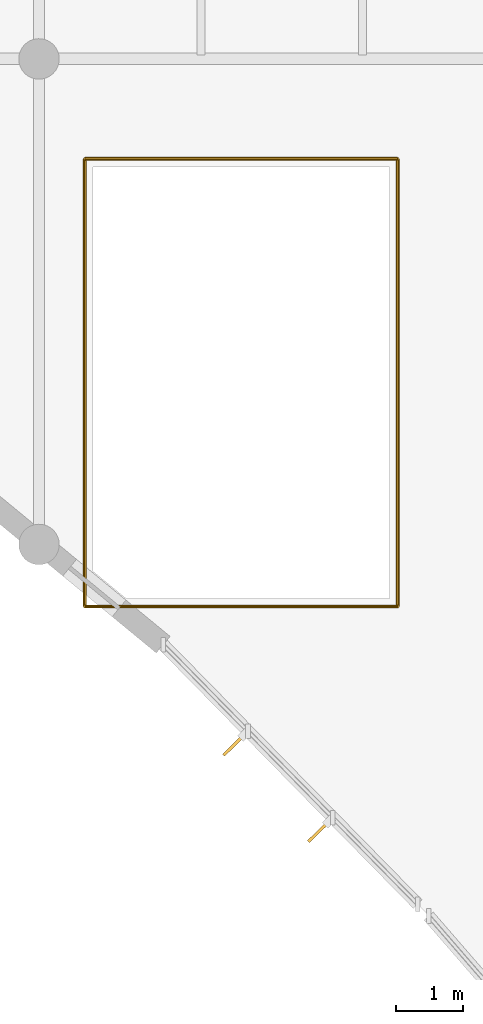
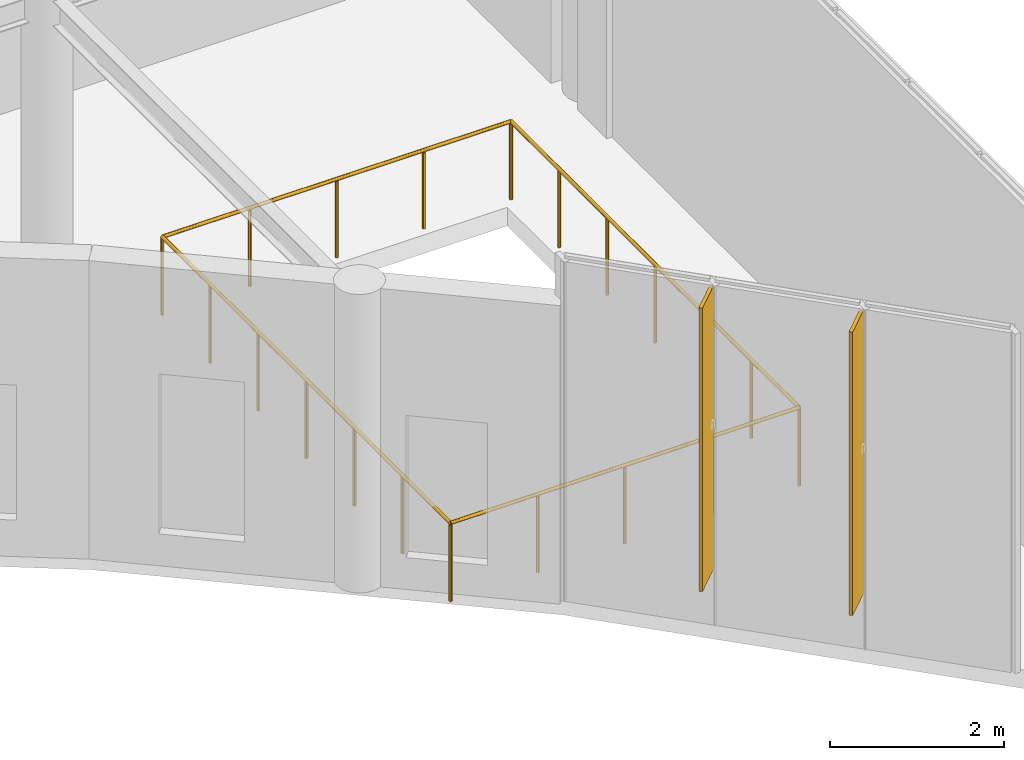
# One storey, part 94 of 104: 4 railings, 2 shading devices.
"""IFC4 building model written with IfcOpenShell, lengths in metres."""

from ifc_helpers import new_model, si_unit, direction, frame, origin, origin_2d, place, context, subcontext, project, spatial, rectangle, circle, extrude, material, layer, layer_set, material_profile, profile_set, type_object, element, save


model = new_model("IFC4")

# Units and contexts
model_context = context("Model", 3, precision=1e-05, world=origin(), true_north=direction((0.0, 1.0)))
body_context = subcontext(model_context, "Body", "Model", "MODEL_VIEW")
ifc_project = project(units=[si_unit("LENGTHUNIT", "METRE"), si_unit("AREAUNIT", "SQUARE_METRE"), si_unit("VOLUMEUNIT", "CUBIC_METRE"), si_unit("PLANEANGLEUNIT", "RADIAN"), si_unit("MASSUNIT", "GRAM", prefix="KILO")], contexts=[model_context])

# Site, building, storey
site_placement = place(None, origin())
site = spatial("IfcSite", under=ifc_project, at=site_placement, CompositionType="ELEMENT")
building_placement = place(site_placement, origin())
building = spatial("IfcBuilding", under=site, at=building_placement, Name="Tazoul Stagehouse", CompositionType="ELEMENT")
storey_placement = place(building_placement, frame((0.0, 0.0, 9.0)))
storey = spatial("IfcBuildingStorey", under=building, at=storey_placement, Name="L02", CompositionType="ELEMENT", Elevation=9.0)

# Shading device
ifc_material_1 = material(Name="Anodised Bronze Aluminium 6063-T6", Category="aluminium")
ifc_layer_1 = layer(ifc_material_1, 0.050048828125, Name="Anodised Bronze Aluminium 6063-T6")
ifc_layer_set_1 = layer_set([ifc_layer_1], Name="Anodised Bronze Aluminium 6063-T6")
shading_device_type_1 = type_object("IfcShadingDeviceType", Name="Angled Acoustic Sun-Screen Blade 460", PredefinedType="USERDEFINED", material=ifc_layer_set_1)
shading_device_1_placement = place(storey_placement, frame((112.699951171875, 5.634521484375, 0.75), z_axis=(0.0, 0.0, 1.0), x_axis=(0.700246698398, -0.713900946479, 0.0)))
element("IfcShadingDevice", 1, at=shading_device_1_placement, inside=storey, type_object=shading_device_type_1, Name="Shading Louvre FIN-02 CW-V5-CRN-L02-C17-SHD01", ObjectType="FIN", PredefinedType="USERDEFINED", context=body_context, shape_type="SweptSolid", body=[
    extrude(rectangle(XDim=0.044921875, YDim=0.4599609375, at=origin_2d()), origin(), (0.0, 0.0, 1.0), 3.989990234375),
])

# Railings
ifc_material_2 = material(Name="Brushed Stainless Steel 316L", Category="steel")
ifc_material_profile = material_profile(ifc_material_2, circle(Radius=0.02392578125, at=origin_2d()), Name="SS RAIL D48")
ifc_profile_set = profile_set([ifc_material_profile], Name="Brushed Stainless Steel 316L")
railing_type = type_object("IfcRailingType", Name="Architectural Guardrail H1120", PredefinedType="GUARDRAIL", material=ifc_profile_set)
railing_1_placement = place(storey_placement, frame((110.47998046875, 7.679931640625, 0.0)))
element("IfcRailing", 2, at=railing_1_placement, inside=storey, type_object=railing_type, Name="L02 Open-Edge Guard GRD-01 (GRD-VOID5-S1)", PredefinedType="GUARDRAIL", context=body_context, shape_type="SweptSolid", body=[
    extrude(circle(Radius=0.02392578125, at=origin_2d()), frame((0.0, 0.0, 1.09619140625), z_axis=(1.0, 0.0, 0.0), x_axis=(0.0, 1.0, 0.0)), (0.0, 0.0, 1.0), 4.64013671875),
    extrude(circle(Radius=0.02099609375, at=origin_2d()), origin(), (0.0, 0.0, 1.0), 1.072021484375),
    extrude(circle(Radius=0.02099609375, at=origin_2d()), frame((1.16015625, 0.0, 0.0)), (0.0, 0.0, 1.0), 1.072021484375),
    extrude(circle(Radius=0.02099609375, at=origin_2d()), frame((2.320068359375, 0.0, 0.0)), (0.0, 0.0, 1.0), 1.072021484375),
    extrude(circle(Radius=0.02099609375, at=origin_2d()), frame((3.47998046875, 0.0, 0.0)), (0.0, 0.0, 1.0), 1.072021484375),
    extrude(circle(Radius=0.02099609375, at=origin_2d()), frame((4.64013671875, 0.0, 0.0)), (0.0, 0.0, 1.0), 1.072021484375),
])
railing_2_placement = place(storey_placement, frame((115.1201171875, 7.679931640625, 0.0)))
element("IfcRailing", 3, at=railing_2_placement, inside=storey, type_object=railing_type, Name="L02 Open-Edge Guard GRD-01 (GRD-VOID5-E1)", PredefinedType="GUARDRAIL", context=body_context, shape_type="SweptSolid", body=[
    extrude(circle(Radius=0.02392578125, at=origin_2d()), frame((0.0, 0.0, 1.09619140625), z_axis=(0.0, 1.0, 0.0), x_axis=(-1.0, 0.0, 0.0)), (0.0, 0.0, 1.0), 6.64013671875),
    extrude(circle(Radius=0.02099609375, at=origin_2d()), origin(), (0.0, 0.0, 1.0), 1.072021484375),
    extrude(circle(Radius=0.02099609375, at=origin_2d()), frame((0.0, 1.106689453125, 0.0)), (0.0, 0.0, 1.0), 1.072021484375),
    extrude(circle(Radius=0.02099609375, at=origin_2d()), frame((0.0, 2.21337890625, 0.0)), (0.0, 0.0, 1.0), 1.072021484375),
    extrude(circle(Radius=0.02099609375, at=origin_2d()), frame((0.0, 3.320068359375, 0.0)), (0.0, 0.0, 1.0), 1.072021484375),
    extrude(circle(Radius=0.02099609375, at=origin_2d()), frame((0.0, 4.4267578125, 0.0)), (0.0, 0.0, 1.0), 1.072021484375),
    extrude(circle(Radius=0.02099609375, at=origin_2d()), frame((0.0, 5.533447265625, 0.0)), (0.0, 0.0, 1.0), 1.072021484375),
    extrude(circle(Radius=0.02099609375, at=origin_2d()), frame((0.0, 6.64013671875, 0.0)), (0.0, 0.0, 1.0), 1.072021484375),
])
railing_3_placement = place(storey_placement, frame((115.1201171875, 14.320068359375, 0.0)))
element("IfcRailing", 4, at=railing_3_placement, inside=storey, type_object=railing_type, Name="L02 Open-Edge Guard GRD-01 (GRD-VOID5-N1)", PredefinedType="GUARDRAIL", context=body_context, shape_type="SweptSolid", body=[
    extrude(circle(Radius=0.02392578125, at=origin_2d()), frame((0.0, 0.0, 1.09619140625), z_axis=(-1.0, 0.0, 0.0), x_axis=(0.0, -1.0, 0.0)), (0.0, 0.0, 1.0), 4.64013671875),
    extrude(circle(Radius=0.02099609375, at=origin_2d()), origin(), (0.0, 0.0, 1.0), 1.072021484375),
    extrude(circle(Radius=0.02099609375, at=origin_2d()), frame((-1.16015625, 0.0, 0.0)), (0.0, 0.0, 1.0), 1.072021484375),
    extrude(circle(Radius=0.02099609375, at=origin_2d()), frame((-2.320068359375, 0.0, 0.0)), (0.0, 0.0, 1.0), 1.072021484375),
    extrude(circle(Radius=0.02099609375, at=origin_2d()), frame((-3.47998046875, 0.0, 0.0)), (0.0, 0.0, 1.0), 1.072021484375),
    extrude(circle(Radius=0.02099609375, at=origin_2d()), frame((-4.64013671875, 0.0, 0.0)), (0.0, 0.0, 1.0), 1.072021484375),
])
railing_4_placement = place(storey_placement, frame((110.47998046875, 14.320068359375, 0.0)))
element("IfcRailing", 5, at=railing_4_placement, inside=storey, type_object=railing_type, Name="L02 Open-Edge Guard GRD-01 (GRD-VOID5-W1)", PredefinedType="GUARDRAIL", context=body_context, shape_type="SweptSolid", body=[
    extrude(circle(Radius=0.02392578125, at=origin_2d()), frame((0.0, 0.0, 1.09619140625), z_axis=(0.0, -1.0, 0.0), x_axis=(1.0, 0.0, 0.0)), (0.0, 0.0, 1.0), 6.64013671875),
    extrude(circle(Radius=0.02099609375, at=origin_2d()), origin(), (0.0, 0.0, 1.0), 1.072021484375),
    extrude(circle(Radius=0.02099609375, at=origin_2d()), frame((0.0, -1.106689453125, 0.0)), (0.0, 0.0, 1.0), 1.072021484375),
    extrude(circle(Radius=0.02099609375, at=origin_2d()), frame((0.0, -2.21337890625, 0.0)), (0.0, 0.0, 1.0), 1.072021484375),
    extrude(circle(Radius=0.02099609375, at=origin_2d()), frame((0.0, -3.320068359375, 0.0)), (0.0, 0.0, 1.0), 1.072021484375),
    extrude(circle(Radius=0.02099609375, at=origin_2d()), frame((0.0, -4.4267578125, 0.0)), (0.0, 0.0, 1.0), 1.072021484375),
    extrude(circle(Radius=0.02099609375, at=origin_2d()), frame((0.0, -5.533447265625, 0.0)), (0.0, 0.0, 1.0), 1.072021484375),
    extrude(circle(Radius=0.02099609375, at=origin_2d()), frame((0.0, -6.64013671875, 0.0)), (0.0, 0.0, 1.0), 1.072021484375),
])

# Shading device
ifc_layer_2 = layer(ifc_material_1, 0.044921875, Name="Anodised Bronze Aluminium 6063-T6")
ifc_layer_set_2 = layer_set([ifc_layer_2], Name="Anodised Bronze Aluminium 6063-T6")
shading_device_type_2 = type_object("IfcShadingDeviceType", Name="Vertical Extruded Terracotta-Bronze Louvre 460", PredefinedType="JALOUSIE", material=ifc_layer_set_2)
shading_device_2_placement = place(storey_placement, frame((113.9580078125, 4.35205078125, 0.75), z_axis=(0.0, 0.0, 1.0), x_axis=(0.700246698398, -0.713900946479, 0.0)))
element("IfcShadingDevice", 6, at=shading_device_2_placement, inside=storey, type_object=shading_device_type_2, Name="Shading Louvre FIN-01 CW-V5-CRN-L02-C17-SHD02", PredefinedType="JALOUSIE", context=body_context, shape_type="SweptSolid", body=[
    extrude(rectangle(XDim=0.044921875, YDim=0.4599609375, at=origin_2d()), origin(), (0.0, 0.0, 1.0), 3.989990234375),
])

save(model, "model.ifc")
